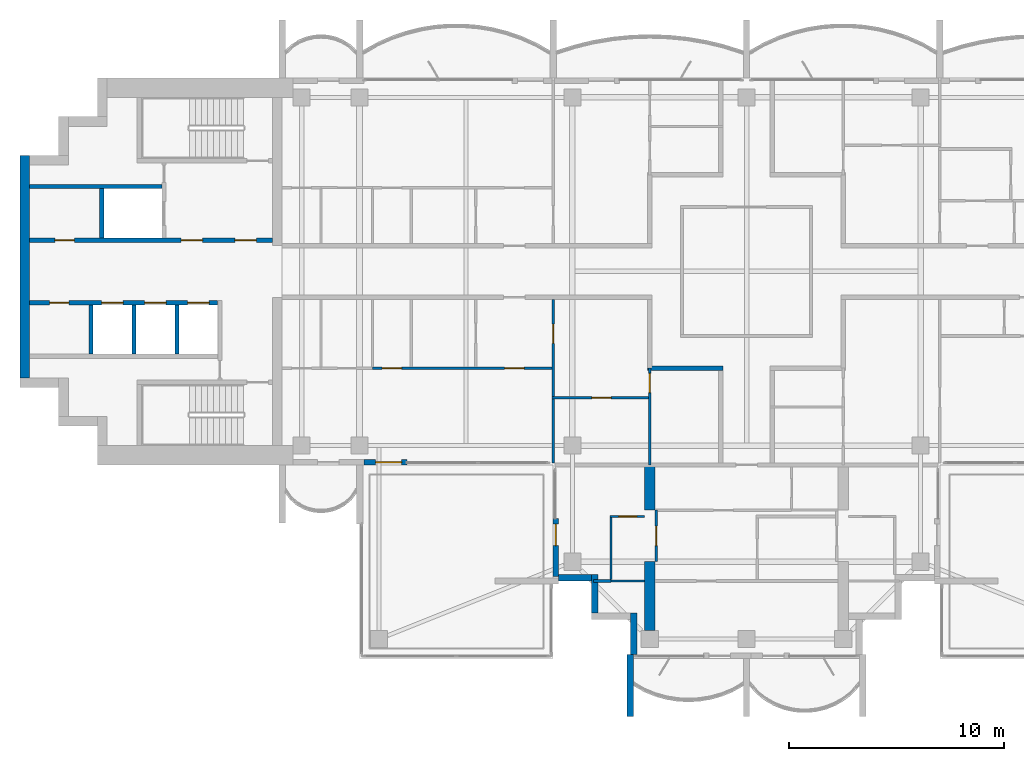
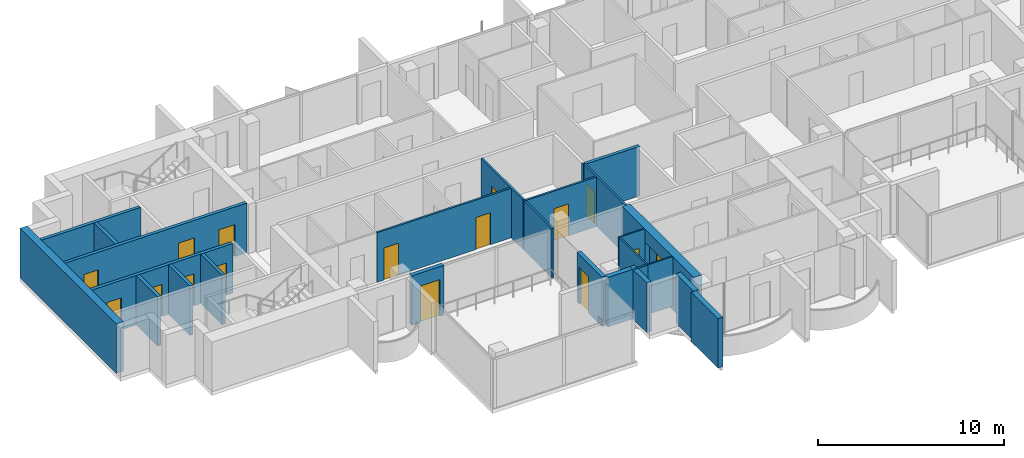
# One storey, part 7 of 16: 25 walls, 16 doors, 16 openings.
"""IFC4 building model written with IfcOpenShell, lengths in metres."""

from ifc_helpers import new_model, si_unit, direction, frame, frame_2d, origin, place, context, subcontext, project, spatial, polyline, rectangle, outline, extrude, material, layer, layer_set, material_profile, profile_set, type_object, element, fill, save


model = new_model("IFC4")

# Units and contexts
model_context = context("Model", 3, precision=1e-05, world=origin(), true_north=direction((0.0, 1.0)))
body_context = subcontext(model_context, "Body", "Model", "MODEL_VIEW")
ifc_project = project(units=[si_unit("LENGTHUNIT", "METRE"), si_unit("AREAUNIT", "SQUARE_METRE"), si_unit("VOLUMEUNIT", "CUBIC_METRE"), si_unit("PLANEANGLEUNIT", "RADIAN"), si_unit("MASSUNIT", "GRAM", prefix="KILO")], contexts=[model_context])

# Site, building, storey
site_placement = place(None, origin())
site = spatial("IfcSite", under=ifc_project, at=site_placement, CompositionType="ELEMENT")
building_placement = place(site_placement, origin())
building = spatial("IfcBuilding", under=site, at=building_placement, Name="Perihelion Cross Residences", CompositionType="ELEMENT")
storey_placement = place(building_placement, frame((0.0, 0.0, 274.5)))
storey = spatial("IfcBuildingStorey", under=building, at=storey_placement, Name="L70", CompositionType="ELEMENT", Elevation=274.5)

# Wall
ifc_material_1 = material(Name="Plasterboard partition")
ifc_layer_1 = layer(ifc_material_1, 0.199951171875)
ifc_layer_set_1 = layer_set([ifc_layer_1], Name="Apartment separation wall 200")
wall_type_1 = type_object("IfcWallType", Name="Apartment separation wall 200", PredefinedType="PARTITIONING", material=ifc_layer_set_1)
wall_1_placement = place(storey_placement, frame((-1.10009765625, -4.5, 0.0), z_axis=(0.0, 0.0, 1.0), x_axis=(-1.0, 0.0, 0.0)))
element("IfcWall", 1, at=wall_1_placement, inside=storey, type_object=wall_type_1, Name="Partition L70 W020", PredefinedType="PARTITIONING", context=body_context, shape_type="SweptSolid", body=[
    extrude(rectangle(XDim=3.5, YDim=0.199951171875, at=frame_2d((1.75, 0.0))), origin(), (0.0, 0.0, 1.0), 3.25),
])

# Wall, opening, door
ifc_material_2 = material(Name="Concrete C30/37, bronze-clad", Category="concrete")
ifc_layer_2 = layer(ifc_material_2, 0.25)
ifc_layer_set_2 = layer_set([ifc_layer_2], Name="Bronze-clad pier wall 250")
wall_type_2 = type_object("IfcWallType", Name="Bronze-clad pier wall 250", PredefinedType="SOLIDWALL", material=ifc_layer_set_2)
wall_2_placement = place(storey_placement, frame((-17.800048828125, -8.875, 0.0), z_axis=(0.0, 0.0, 1.0), x_axis=(1.0, 0.0, 0.0)))
wall_2 = element("IfcWall", 2, at=wall_2_placement, inside=storey, type_object=wall_type_2, Name="Wall FW1 L70 west side south bay 2 pier", PredefinedType="SOLIDWALL", context=body_context, shape_type="SweptSolid", body=[
    extrude(rectangle(XDim=2.0, YDim=0.25, at=frame_2d((1.0, 0.0))), origin(), (0.0, 0.0, 1.0), 3.25),
])
opening_1_placement = place(wall_2_placement, frame((0.550048828125, 0.0, 0.0)))
opening_1 = element("IfcOpeningElement", 3, at=opening_1_placement, cuts=wall_2, Name="Opening L70.E08", PredefinedType="OPENING", context=body_context, shape_type="SweptSolid", body=[
    extrude(rectangle(XDim=1.199951171875, YDim=2.39990234375, at=frame_2d((0.60009765625, 1.199951171875))), frame((0.0, 0.135009765625, 0.0), z_axis=(0.0, -1.0, 0.0), x_axis=(1.0, 0.0, 0.0)), (0.0, 0.0, 1.0), 0.27001953125),
])
ifc_material_3 = material(Name="Bronze anodised aluminium, glazed", Category="aluminium")
door_type_1 = type_object("IfcDoorType", Name="Balcony door 1200 x 2400", OperationType="NOTDEFINED", PredefinedType="DOOR", material=ifc_material_3)
door_1_placement = place(opening_1_placement, origin())
door_1 = element("IfcDoor", 4, at=door_1_placement, inside=storey, type_object=door_type_1, Name="Door L70.E08 west side south bay 2", OperationType="SINGLE_SWING_RIGHT", OverallHeight=2.39990234375, OverallWidth=1.199951171875, PredefinedType="DOOR", context=body_context, shape_type="SweptSolid", body=[
    extrude(rectangle(XDim=1.199951171875, YDim=2.39990234375, at=frame_2d((0.60009765625, 1.199951171875))), frame((0.0, 0.02490234375, 0.0), z_axis=(0.0, -1.0, 0.0), x_axis=(1.0, 0.0, 0.0)), (0.0, 0.0, 1.0), 0.050048828125),
])
fill(opening_1, door_1)

wall_3_placement = place(storey_placement, frame((-8.875, -11.5, 0.0), z_axis=(0.0, 0.0, 1.0), x_axis=(0.0, -1.0, 0.0)))
wall_3 = element("IfcWall", 5, at=wall_3_placement, inside=storey, type_object=wall_type_2, Name="Wall FW1 L70 south side west bay 1 pier", PredefinedType="SOLIDWALL", context=body_context, shape_type="SweptSolid", body=[
    extrude(rectangle(XDim=2.699951171875, YDim=0.25, at=frame_2d((1.35009765625, 0.0))), origin(), (0.0, 0.0, 1.0), 3.25),
])
opening_2_placement = place(wall_3_placement, frame((0.25, 0.0, 0.0)))
opening_2 = element("IfcOpeningElement", 6, at=opening_2_placement, cuts=wall_3, Name="Opening L70.E09", PredefinedType="OPENING", context=body_context, shape_type="SweptSolid", body=[
    extrude(rectangle(XDim=1.0, YDim=2.39990234375, at=frame_2d((0.5, 1.199951171875))), frame((0.0, 0.135009765625, 0.0), z_axis=(0.0, -1.0, 0.0), x_axis=(1.0, 0.0, 0.0)), (0.0, 0.0, 1.0), 0.27001953125),
])
ifc_material_4 = material(Name="Bronze anodised aluminium, glazed", Category="aluminium")
door_type_2 = type_object("IfcDoorType", Name="Balcony door 1000 x 2400", OperationType="NOTDEFINED", PredefinedType="DOOR", material=ifc_material_4)
door_2_placement = place(opening_2_placement, origin())
door_2 = element("IfcDoor", 7, at=door_2_placement, inside=storey, type_object=door_type_2, Name="Door L70.E09 south side west bay 1", OperationType="SINGLE_SWING_LEFT", OverallHeight=2.39990234375, OverallWidth=1.0, PredefinedType="DOOR", context=body_context, shape_type="SweptSolid", body=[
    extrude(rectangle(XDim=1.0, YDim=2.39990234375, at=frame_2d((0.5, 1.199951171875))), frame((0.0, 0.02490234375, 0.0), z_axis=(0.0, -1.0, 0.0), x_axis=(1.0, 0.0, 0.0)), (0.0, 0.0, 1.0), 0.050048828125),
])
fill(opening_2, door_2)

# Walls
ifc_material_5 = material(Name="Concrete C30/37, bronze-clad", Category="concrete")
ifc_layer_3 = layer(ifc_material_5, 0.300048828125)
ifc_layer_set_3 = layer_set([ifc_layer_3], Name="Bronze-clad serration wall 300")
wall_type_3 = type_object("IfcWallType", Name="Bronze-clad serration wall 300", PredefinedType="SOLIDWALL", material=ifc_layer_set_3)
wall_4_placement = place(storey_placement, frame((-8.75, -14.25, 0.0), z_axis=(0.0, 0.0, 1.0), x_axis=(1.0, 0.0, 0.0)))
element("IfcWall", 8, at=wall_4_placement, inside=storey, type_object=wall_type_3, Name="Wall SR1 L70 south corner south-west 1", PredefinedType="SOLIDWALL", context=body_context, shape_type="SweptSolid", body=[
    extrude(rectangle(XDim=1.550048828125, YDim=0.300048828125, at=frame_2d((0.77490234375, 0.0))), origin(), (0.0, 0.0, 1.0), 3.25),
])
wall_5_placement = place(storey_placement, frame((-7.050048828125, -14.10009765625, 0.0), z_axis=(0.0, 0.0, 1.0), x_axis=(0.0, -1.0, 0.0)))
element("IfcWall", 9, at=wall_5_placement, inside=storey, type_object=wall_type_3, Name="Wall SR1 L70 south corner south-west 2", PredefinedType="SOLIDWALL", context=body_context, shape_type="SweptSolid", body=[
    extrude(rectangle(XDim=1.7998046875, YDim=0.300048828125, at=frame_2d((0.89990234375, 0.0))), origin(), (0.0, 0.0, 1.0), 3.25),
])
wall_6_placement = place(storey_placement, frame((-5.25, -15.89990234375, 0.0), z_axis=(0.0, 0.0, 1.0), x_axis=(0.0, -1.0, 0.0)))
element("IfcWall", 10, at=wall_6_placement, inside=storey, type_object=wall_type_3, Name="Wall SR1 L70 south corner south-west 4", PredefinedType="SOLIDWALL", context=body_context, shape_type="SweptSolid", body=[
    extrude(rectangle(XDim=1.920166015625, YDim=0.300048828125, at=frame_2d((0.9599609375, 0.0))), origin(), (0.0, 0.0, 1.0), 3.25),
])
ifc_material_6 = material(Name="Concrete C60/75", Category="concrete")
ifc_layer_4 = layer(ifc_material_6, 0.449951171875)
ifc_layer_set_4 = layer_set([ifc_layer_4], Name="Core wall, outer 450")
wall_type_4 = type_object("IfcWallType", Name="Core wall, outer 450", PredefinedType="SHEAR", material=ifc_layer_set_4)
wall_7_placement = place(storey_placement, frame((-33.574951171875, -4.949951171875, 0.0), z_axis=(0.0, 0.0, 1.0), x_axis=(0.0, 1.0, 0.0)))
element("IfcWall", 11, at=wall_7_placement, inside=storey, type_object=wall_type_4, Name="West core core wall, outer", PredefinedType="SHEAR", context=body_context, shape_type="SweptSolid", body=[
    extrude(rectangle(XDim=10.349853515625, YDim=0.449951171875, at=frame_2d((5.1748046875, 0.0))), origin(), (0.0, 0.0, 1.0), 3.25),
])

# Wall, opening, door
ifc_material_7 = material(Name="Plasterboard partition")
ifc_layer_5 = layer(ifc_material_7, 0.1201171875)
ifc_layer_set_5 = layer_set([ifc_layer_5], Name="Infill panel 120")
wall_type_5 = type_object("IfcWallType", Name="Infill panel 120", PredefinedType="PARTITIONING", material=ifc_layer_set_5)
wall_8_placement = place(storey_placement, frame((-4.18994140625, -11.10009765625, 0.0), z_axis=(0.0, 0.0, 1.0), x_axis=(0.0, -1.0, 0.0)))
wall_8 = element("IfcWall", 12, at=wall_8_placement, inside=storey, type_object=wall_type_5, Name="Partition L70 WI02", PredefinedType="PARTITIONING", context=body_context, shape_type="SweptSolid", body=[
    extrude(rectangle(XDim=2.39990234375, YDim=0.1201171875, at=frame_2d((1.199951171875, 0.0))), origin(), (0.0, 0.0, 1.0), 2.39990234375),
])
opening_3_placement = place(wall_8_placement, frame((0.75, 0.0, 0.0)))
opening_3 = element("IfcOpeningElement", 13, at=opening_3_placement, cuts=wall_8, Name="Opening L70.A47", PredefinedType="OPENING", context=body_context, shape_type="SweptSolid", body=[
    extrude(rectangle(XDim=0.89990234375, YDim=2.10009765625, at=frame_2d((0.449951171875, 1.050048828125))), frame((0.0, 0.070068359375, 0.0), z_axis=(0.0, -1.0, 0.0), x_axis=(1.0, 0.0, 0.0)), (0.0, 0.0, 1.0), 0.14013671875),
])
ifc_material_8 = material(Name="Timber door leaf", Category="wood")
door_type_3 = type_object("IfcDoorType", Name="Interior room door 900 x 2100", OperationType="SINGLE_SWING_LEFT", PredefinedType="DOOR", material=ifc_material_8)
door_3_placement = place(opening_3_placement, origin())
door_3 = element("IfcDoor", 14, at=door_3_placement, inside=storey, type_object=door_type_3, Name="Door L70.A47", OperationType="SINGLE_SWING_LEFT", OverallHeight=2.10009765625, OverallWidth=0.89990234375, PredefinedType="DOOR", context=body_context, shape_type="SweptSolid", body=[
    extrude(rectangle(XDim=0.89990234375, YDim=2.10009765625, at=frame_2d((0.449951171875, 1.050048828125))), frame((0.0, 0.02490234375, 0.0), z_axis=(0.0, -1.0, 0.0), x_axis=(1.0, 0.0, 0.0)), (0.0, 0.0, 1.0), 0.050048828125),
])
fill(opening_3, door_3)

# Wall, openings, doors
ifc_material_9 = material(Name="Plasterboard partition")
ifc_layer_6 = layer(ifc_material_9, 0.1201171875)
ifc_layer_set_6 = layer_set([ifc_layer_6], Name="Partition wall 120")
wall_type_6 = type_object("IfcWallType", Name="Partition wall 120", PredefinedType="PARTITIONING", material=ifc_layer_set_6)
wall_9_placement = place(storey_placement, frame((-8.93994140625, -4.5, 0.0), z_axis=(0.0, 0.0, 1.0), x_axis=(-1.0, 0.0, 0.0)))
wall_9 = element("IfcWall", 15, at=wall_9_placement, inside=storey, type_object=wall_type_6, Name="Partition L70 W058", PredefinedType="PARTITIONING", context=body_context, shape_type="SweptSolid", body=[
    extrude(rectangle(XDim=8.4599609375, YDim=0.1201171875, at=frame_2d((4.22998046875, 0.0))), origin(), (0.0, 0.0, 1.0), 3.25),
])
opening_4_placement = place(wall_9_placement, frame((7.110107421875, 0.0, 0.0)))
opening_4 = element("IfcOpeningElement", 16, at=opening_4_placement, cuts=wall_9, Name="Opening L70.A32", PredefinedType="OPENING", context=body_context, shape_type="SweptSolid", body=[
    extrude(rectangle(XDim=0.89990234375, YDim=2.10009765625, at=frame_2d((0.449951171875, 1.050048828125))), frame((0.0, 0.070068359375, 0.0), z_axis=(0.0, -1.0, 0.0), x_axis=(1.0, 0.0, 0.0)), (0.0, 0.0, 1.0), 0.14013671875),
])
opening_5_placement = place(wall_9_placement, frame((1.409912109375, 0.0, 0.0)))
opening_5 = element("IfcOpeningElement", 17, at=opening_5_placement, cuts=wall_9, Name="Opening L70.A34", PredefinedType="OPENING", context=body_context, shape_type="SweptSolid", body=[
    extrude(rectangle(XDim=0.89990234375, YDim=2.10009765625, at=frame_2d((0.449951171875, 1.050048828125))), frame((0.0, 0.070068359375, 0.0), z_axis=(0.0, -1.0, 0.0), x_axis=(1.0, 0.0, 0.0)), (0.0, 0.0, 1.0), 0.14013671875),
])
door_4_placement = place(opening_4_placement, origin())
door_4 = element("IfcDoor", 18, at=door_4_placement, inside=storey, type_object=door_type_3, Name="Door L70.A32", OperationType="SINGLE_SWING_RIGHT", OverallHeight=2.10009765625, OverallWidth=0.89990234375, PredefinedType="DOOR", context=body_context, shape_type="SweptSolid", body=[
    extrude(rectangle(XDim=0.89990234375, YDim=2.10009765625, at=frame_2d((0.449951171875, 1.050048828125))), frame((0.0, 0.02490234375, 0.0), z_axis=(0.0, -1.0, 0.0), x_axis=(1.0, 0.0, 0.0)), (0.0, 0.0, 1.0), 0.050048828125),
])
fill(opening_4, door_4)
door_5_placement = place(opening_5_placement, origin())
door_5 = element("IfcDoor", 19, at=door_5_placement, inside=storey, type_object=door_type_3, Name="Door L70.A34", OperationType="SINGLE_SWING_RIGHT", OverallHeight=2.10009765625, OverallWidth=0.89990234375, PredefinedType="DOOR", context=body_context, shape_type="SweptSolid", body=[
    extrude(rectangle(XDim=0.89990234375, YDim=2.10009765625, at=frame_2d((0.449951171875, 1.050048828125))), frame((0.0, 0.02490234375, 0.0), z_axis=(0.0, -1.0, 0.0), x_axis=(1.0, 0.0, 0.0)), (0.0, 0.0, 1.0), 0.050048828125),
])
fill(opening_5, door_5)

# Wall, opening, door
wall_10_placement = place(storey_placement, frame((-9.0, -1.300048828125, 0.0), z_axis=(0.0, 0.0, 1.0), x_axis=(0.0, -1.0, 0.0)))
wall_10 = element("IfcWall", 20, at=wall_10_placement, inside=storey, type_object=wall_type_6, Name="Partition L70 W059", PredefinedType="PARTITIONING", context=body_context, shape_type="SweptSolid", body=[
    extrude(rectangle(XDim=7.619873046875, YDim=0.1201171875, at=frame_2d((3.81005859375, 0.0))), origin(), (0.0, 0.0, 1.0), 3.25),
])
opening_6_placement = place(wall_10_placement, frame((1.14990234375, 0.0, 0.0)))
opening_6 = element("IfcOpeningElement", 21, at=opening_6_placement, cuts=wall_10, Name="Opening L70.A30", PredefinedType="OPENING", context=body_context, shape_type="SweptSolid", body=[
    extrude(rectangle(XDim=0.89990234375, YDim=2.10009765625, at=frame_2d((0.449951171875, 1.050048828125))), frame((0.0, 0.070068359375, 0.0), z_axis=(0.0, -1.0, 0.0), x_axis=(1.0, 0.0, 0.0)), (0.0, 0.0, 1.0), 0.14013671875),
])
door_6_placement = place(opening_6_placement, origin())
door_6 = element("IfcDoor", 22, at=door_6_placement, inside=storey, type_object=door_type_3, Name="Door L70.A30", OperationType="SINGLE_SWING_RIGHT", OverallHeight=2.10009765625, OverallWidth=0.89990234375, PredefinedType="DOOR", context=body_context, shape_type="SweptSolid", body=[
    extrude(rectangle(XDim=0.89990234375, YDim=2.10009765625, at=frame_2d((0.449951171875, 1.050048828125))), frame((0.0, 0.02490234375, 0.0), z_axis=(0.0, -1.0, 0.0), x_axis=(1.0, 0.0, 0.0)), (0.0, 0.0, 1.0), 0.050048828125),
])
fill(opening_6, door_6)

wall_11_placement = place(storey_placement, frame((-4.43994140625, -5.8798828125, 0.0), z_axis=(0.0, 0.0, 1.0), x_axis=(-1.0, 0.0, 0.0)))
wall_11 = element("IfcWall", 23, at=wall_11_placement, inside=storey, type_object=wall_type_6, Name="Partition L70 W065", PredefinedType="PARTITIONING", context=body_context, shape_type="SweptSolid", body=[
    extrude(rectangle(XDim=4.6201171875, YDim=0.1201171875, at=frame_2d((2.31005859375, 0.0))), origin(), (0.0, 0.0, 1.0), 3.25),
])
opening_7_placement = place(wall_11_placement, frame((1.860107421875, 0.0, 0.0)))
opening_7 = element("IfcOpeningElement", 24, at=opening_7_placement, cuts=wall_11, Name="Opening L70.A33", PredefinedType="OPENING", context=body_context, shape_type="SweptSolid", body=[
    extrude(rectangle(XDim=0.89990234375, YDim=2.10009765625, at=frame_2d((0.449951171875, 1.050048828125))), frame((0.0, 0.070068359375, 0.0), z_axis=(0.0, -1.0, 0.0), x_axis=(1.0, 0.0, 0.0)), (0.0, 0.0, 1.0), 0.14013671875),
])
door_7_placement = place(opening_7_placement, origin())
door_7 = element("IfcDoor", 25, at=door_7_placement, inside=storey, type_object=door_type_3, Name="Door L70.A33", OperationType="SINGLE_SWING_LEFT", OverallHeight=2.10009765625, OverallWidth=0.89990234375, PredefinedType="DOOR", context=body_context, shape_type="SweptSolid", body=[
    extrude(rectangle(XDim=0.89990234375, YDim=2.10009765625, at=frame_2d((0.449951171875, 1.050048828125))), frame((0.0, 0.02490234375, 0.0), z_axis=(0.0, -1.0, 0.0), x_axis=(1.0, 0.0, 0.0)), (0.0, 0.0, 1.0), 0.050048828125),
])
fill(opening_7, door_7)

wall_12_placement = place(storey_placement, frame((-4.5, -4.5, 0.0), z_axis=(0.0, 0.0, 1.0), x_axis=(0.0, -1.0, 0.0)))
wall_12 = element("IfcWall", 26, at=wall_12_placement, inside=storey, type_object=wall_type_6, Name="Partition L70 W066", PredefinedType="PARTITIONING", context=body_context, shape_type="SweptSolid", body=[
    extrude(rectangle(XDim=4.5, YDim=0.1201171875, at=frame_2d((2.25, 0.0))), origin(), (0.0, 0.0, 1.0), 3.25),
])
opening_8_placement = place(wall_12_placement, frame((0.239990234375, 0.0, 0.0)))
opening_8 = element("IfcOpeningElement", 27, at=opening_8_placement, cuts=wall_12, Name="Opening L70.A28", PredefinedType="OPENING", context=body_context, shape_type="SweptSolid", body=[
    extrude(rectangle(XDim=0.89990234375, YDim=2.10009765625, at=frame_2d((0.449951171875, 1.050048828125))), frame((0.0, 0.070068359375, 0.0), z_axis=(0.0, -1.0, 0.0), x_axis=(1.0, 0.0, 0.0)), (0.0, 0.0, 1.0), 0.14013671875),
])
door_8_placement = place(opening_8_placement, origin())
door_8 = element("IfcDoor", 28, at=door_8_placement, inside=storey, type_object=door_type_3, Name="Door L70.A28", OperationType="SINGLE_SWING_RIGHT", OverallHeight=2.10009765625, OverallWidth=0.89990234375, PredefinedType="DOOR", context=body_context, shape_type="SweptSolid", body=[
    extrude(rectangle(XDim=0.89990234375, YDim=2.10009765625, at=frame_2d((0.449951171875, 1.050048828125))), frame((0.0, 0.02490234375, 0.0), z_axis=(0.0, -1.0, 0.0), x_axis=(1.0, 0.0, 0.0)), (0.0, 0.0, 1.0), 0.050048828125),
])
fill(opening_8, door_8)

# Walls
wall_13_placement = place(storey_placement, frame((-6.300048828125, -14.39990234375, 0.0), z_axis=(0.0, 0.0, 1.0), x_axis=(-1.0, 0.0, 0.0)))
element("IfcWall", 29, at=wall_13_placement, inside=storey, type_object=wall_type_6, Name="Partition L70 W078", PredefinedType="PARTITIONING", context=body_context, shape_type="SweptSolid", body=[
    extrude(rectangle(XDim=0.820068359375, YDim=0.1201171875, at=frame_2d((0.41015625, 0.0))), origin(), (0.0, 0.0, 1.0), 3.25),
])
ifc_material_10 = material(Name="Precast concrete C50/60", Category="concrete")
ifc_layer_7 = layer(ifc_material_10, 0.300048828125)
ifc_layer_set_7 = layer_set([ifc_layer_7], Name="Precast concrete C50/60 blade wall 300")
wall_type_7 = type_object("IfcWallType", Name="Precast concrete C50/60 blade wall 300", PredefinedType="SOLIDWALL", material=ifc_layer_set_7)
wall_14_placement = place(storey_placement, frame((-5.39990234375, -17.820068359375, 0.0), z_axis=(0.0, 0.0, 1.0), x_axis=(0.0, -1.0, 0.0)))
element("IfcWall", 30, at=wall_14_placement, inside=storey, type_object=wall_type_7, Name="Wall BL1 L70 no. 5", PredefinedType="SOLIDWALL", context=body_context, shape_type="SweptSolid", body=[
    extrude(rectangle(XDim=2.8798828125, YDim=0.300048828125, at=frame_2d((1.43994140625, 0.0))), origin(), (0.0, 0.0, 1.0), 3.25),
])

# Wall, openings, doors
ifc_material_11 = material(Name="Concrete C50/60", Category="concrete")
ifc_layer_8 = layer(ifc_material_11, 0.199951171875)
ifc_layer_set_8 = layer_set([ifc_layer_8], Name="Shaft wall 200")
wall_type_8 = type_object("IfcWallType", Name="Shaft wall 200", PredefinedType="SOLIDWALL", material=ifc_layer_set_8)
wall_15_placement = place(storey_placement, frame((-33.35009765625, 1.449951171875, 0.0), z_axis=(0.0, 0.0, 1.0), x_axis=(1.0, 0.0, 0.0)))
wall_15 = element("IfcWall", 31, at=wall_15_placement, inside=storey, type_object=wall_type_8, Name="West core shaft wall", PredefinedType="SOLIDWALL", context=body_context, shape_type="SweptSolid", body=[
    extrude(rectangle(XDim=11.300048828125, YDim=0.199951171875, at=frame_2d((5.64990234375, 0.0))), origin(), (0.0, 0.0, 1.0), 3.25),
])
opening_9_placement = place(wall_15_placement, frame((9.550048828125, 0.0, 0.0)))
opening_9 = element("IfcOpeningElement", 32, at=opening_9_placement, cuts=wall_15, Name="Opening L70.C19", PredefinedType="OPENING", context=body_context, shape_type="SweptSolid", body=[
    extrude(rectangle(XDim=1.0, YDim=2.10009765625, at=frame_2d((0.5, 1.050048828125))), frame((0.0, 0.10986328125, 0.0), z_axis=(0.0, -1.0, 0.0), x_axis=(1.0, 0.0, 0.0)), (0.0, 0.0, 1.0), 0.219970703125),
])
opening_10_placement = place(wall_15_placement, frame((7.050048828125, 0.0, 0.0)))
opening_10 = element("IfcOpeningElement", 33, at=opening_10_placement, cuts=wall_15, Name="Opening L70.C21", PredefinedType="OPENING", context=body_context, shape_type="SweptSolid", body=[
    extrude(rectangle(XDim=1.0, YDim=2.10009765625, at=frame_2d((0.5, 1.050048828125))), frame((0.0, 0.10986328125, 0.0), z_axis=(0.0, -1.0, 0.0), x_axis=(1.0, 0.0, 0.0)), (0.0, 0.0, 1.0), 0.219970703125),
])
opening_11_placement = place(wall_15_placement, frame((1.175048828125, 0.0, 0.0)))
opening_11 = element("IfcOpeningElement", 34, at=opening_11_placement, cuts=wall_15, Name="Opening L70.C23", PredefinedType="OPENING", context=body_context, shape_type="SweptSolid", body=[
    extrude(rectangle(XDim=0.89990234375, YDim=2.10009765625, at=frame_2d((0.449951171875, 1.050048828125))), frame((0.0, 0.10986328125, 0.0), z_axis=(0.0, -1.0, 0.0), x_axis=(1.0, 0.0, 0.0)), (0.0, 0.0, 1.0), 0.219970703125),
])
ifc_material_12 = material(Name="Steel, powder coated", Category="steel")
door_type_4 = type_object("IfcDoorType", Name="Lobby door 1000", OperationType="SINGLE_SWING_LEFT", PredefinedType="DOOR", material=ifc_material_12)
door_9_placement = place(opening_9_placement, origin())
door_9 = element("IfcDoor", 35, at=door_9_placement, inside=storey, type_object=door_type_4, Name="West core firefighting lobby door", OperationType="SINGLE_SWING_LEFT", OverallHeight=2.10009765625, OverallWidth=1.0, PredefinedType="DOOR", context=body_context, shape_type="SweptSolid", body=[
    extrude(rectangle(XDim=1.0, YDim=2.10009765625, at=frame_2d((0.5, 1.050048828125))), frame((0.0, 0.02490234375, 0.0), z_axis=(0.0, -1.0, 0.0), x_axis=(1.0, 0.0, 0.0)), (0.0, 0.0, 1.0), 0.050048828125),
])
fill(opening_9, door_9)
door_10_placement = place(opening_10_placement, origin())
door_10 = element("IfcDoor", 36, at=door_10_placement, inside=storey, type_object=door_type_4, Name="West core firefighting lobby door", OperationType="SINGLE_SWING_LEFT", OverallHeight=2.10009765625, OverallWidth=1.0, PredefinedType="DOOR", context=body_context, shape_type="SweptSolid", body=[
    extrude(rectangle(XDim=1.0, YDim=2.10009765625, at=frame_2d((0.5, 1.050048828125))), frame((0.0, 0.02490234375, 0.0), z_axis=(0.0, -1.0, 0.0), x_axis=(1.0, 0.0, 0.0)), (0.0, 0.0, 1.0), 0.050048828125),
])
fill(opening_10, door_10)
ifc_material_13 = material(Name="Steel, powder coated", Category="steel")
door_type_5 = type_object("IfcDoorType", Name="Service room door 900", OperationType="SINGLE_SWING_LEFT", PredefinedType="DOOR", material=ifc_material_13)
door_11_placement = place(opening_11_placement, origin())
door_11 = element("IfcDoor", 37, at=door_11_placement, inside=storey, type_object=door_type_5, Name="West core service room door", OperationType="SINGLE_SWING_LEFT", OverallHeight=2.10009765625, OverallWidth=0.89990234375, PredefinedType="DOOR", context=body_context, shape_type="SweptSolid", body=[
    extrude(rectangle(XDim=0.89990234375, YDim=2.10009765625, at=frame_2d((0.449951171875, 1.050048828125))), frame((0.0, 0.02490234375, 0.0), z_axis=(0.0, -1.0, 0.0), x_axis=(1.0, 0.0, 0.0)), (0.0, 0.0, 1.0), 0.050048828125),
])
fill(opening_11, door_11)

wall_16_placement = place(storey_placement, frame((-33.35009765625, -1.449951171875, 0.0), z_axis=(0.0, 0.0, 1.0), x_axis=(1.0, 0.0, 0.0)))
wall_16 = element("IfcWall", 38, at=wall_16_placement, inside=storey, type_object=wall_type_8, Name="West core shaft wall", PredefinedType="SOLIDWALL", context=body_context, shape_type="SweptSolid", body=[
    extrude(rectangle(XDim=8.75, YDim=0.199951171875, at=frame_2d((4.375, 0.0))), origin(), (0.0, 0.0, 1.0), 3.25),
])
opening_12_placement = place(wall_16_placement, frame((7.35009765625, 0.0, 0.0)))
opening_12 = element("IfcOpeningElement", 39, at=opening_12_placement, cuts=wall_16, Name="Opening L70.C13", PredefinedType="OPENING", context=body_context, shape_type="SweptSolid", body=[
    extrude(rectangle(XDim=1.0, YDim=2.10009765625, at=frame_2d((0.5, 1.050048828125))), frame((0.0, 0.10986328125, 0.0), z_axis=(0.0, -1.0, 0.0), x_axis=(1.0, 0.0, 0.0)), (0.0, 0.0, 1.0), 0.219970703125),
])
opening_13_placement = place(wall_16_placement, frame((5.35009765625, 0.0, 0.0)))
opening_13 = element("IfcOpeningElement", 40, at=opening_13_placement, cuts=wall_16, Name="Opening L70.C15", PredefinedType="OPENING", context=body_context, shape_type="SweptSolid", body=[
    extrude(rectangle(XDim=1.0, YDim=2.10009765625, at=frame_2d((0.5, 1.050048828125))), frame((0.0, 0.10986328125, 0.0), z_axis=(0.0, -1.0, 0.0), x_axis=(1.0, 0.0, 0.0)), (0.0, 0.0, 1.0), 0.219970703125),
])
opening_14_placement = place(wall_16_placement, frame((3.35009765625, 0.0, 0.0)))
opening_14 = element("IfcOpeningElement", 41, at=opening_14_placement, cuts=wall_16, Name="Opening L70.C16", PredefinedType="OPENING", context=body_context, shape_type="SweptSolid", body=[
    extrude(rectangle(XDim=1.0, YDim=2.10009765625, at=frame_2d((0.5, 1.050048828125))), frame((0.0, 0.10986328125, 0.0), z_axis=(0.0, -1.0, 0.0), x_axis=(1.0, 0.0, 0.0)), (0.0, 0.0, 1.0), 0.219970703125),
])
opening_15_placement = place(wall_16_placement, frame((0.925048828125, 0.0, 0.0)))
opening_15 = element("IfcOpeningElement", 42, at=opening_15_placement, cuts=wall_16, Name="Opening L70.C24", PredefinedType="OPENING", context=body_context, shape_type="SweptSolid", body=[
    extrude(rectangle(XDim=0.89990234375, YDim=2.10009765625, at=frame_2d((0.449951171875, 1.050048828125))), frame((0.0, 0.10986328125, 0.0), z_axis=(0.0, -1.0, 0.0), x_axis=(1.0, 0.0, 0.0)), (0.0, 0.0, 1.0), 0.219970703125),
])
ifc_material_14 = material(Name="Stainless steel", Category="steel")
door_type_6 = type_object("IfcDoorType", Name="Landing door 1000", OperationType="DOUBLE_DOOR_SLIDING", PredefinedType="DOOR", material=ifc_material_14)
door_12_placement = place(opening_12_placement, origin())
door_12 = element("IfcDoor", 43, at=door_12_placement, inside=storey, type_object=door_type_6, Name="Landing door, West core high-rise lift 1", OperationType="DOUBLE_DOOR_SLIDING", OverallHeight=2.10009765625, OverallWidth=1.0, PredefinedType="DOOR", context=body_context, shape_type="SweptSolid", body=[
    extrude(rectangle(XDim=1.0, YDim=2.10009765625, at=frame_2d((0.5, 1.050048828125))), frame((0.0, 0.02490234375, 0.0), z_axis=(0.0, -1.0, 0.0), x_axis=(1.0, 0.0, 0.0)), (0.0, 0.0, 1.0), 0.050048828125),
])
fill(opening_12, door_12)
door_13_placement = place(opening_13_placement, origin())
door_13 = element("IfcDoor", 44, at=door_13_placement, inside=storey, type_object=door_type_6, Name="Landing door, West core high-rise lift 2", OperationType="DOUBLE_DOOR_SLIDING", OverallHeight=2.10009765625, OverallWidth=1.0, PredefinedType="DOOR", context=body_context, shape_type="SweptSolid", body=[
    extrude(rectangle(XDim=1.0, YDim=2.10009765625, at=frame_2d((0.5, 1.050048828125))), frame((0.0, 0.02490234375, 0.0), z_axis=(0.0, -1.0, 0.0), x_axis=(1.0, 0.0, 0.0)), (0.0, 0.0, 1.0), 0.050048828125),
])
fill(opening_13, door_13)
door_14_placement = place(opening_14_placement, origin())
door_14 = element("IfcDoor", 45, at=door_14_placement, inside=storey, type_object=door_type_6, Name="Landing door, West core high-rise lift 3", OperationType="DOUBLE_DOOR_SLIDING", OverallHeight=2.10009765625, OverallWidth=1.0, PredefinedType="DOOR", context=body_context, shape_type="SweptSolid", body=[
    extrude(rectangle(XDim=1.0, YDim=2.10009765625, at=frame_2d((0.5, 1.050048828125))), frame((0.0, 0.02490234375, 0.0), z_axis=(0.0, -1.0, 0.0), x_axis=(1.0, 0.0, 0.0)), (0.0, 0.0, 1.0), 0.050048828125),
])
fill(opening_14, door_14)
door_15_placement = place(opening_15_placement, origin())
door_15 = element("IfcDoor", 46, at=door_15_placement, inside=storey, type_object=door_type_5, Name="West core service room door", OperationType="SINGLE_SWING_LEFT", OverallHeight=2.10009765625, OverallWidth=0.89990234375, PredefinedType="DOOR", context=body_context, shape_type="SweptSolid", body=[
    extrude(rectangle(XDim=0.89990234375, YDim=2.10009765625, at=frame_2d((0.449951171875, 1.050048828125))), frame((0.0, 0.02490234375, 0.0), z_axis=(0.0, -1.0, 0.0), x_axis=(1.0, 0.0, 0.0)), (0.0, 0.0, 1.0), 0.050048828125),
])
fill(opening_15, door_15)

# Walls
wall_17_placement = place(storey_placement, frame((-33.35009765625, 3.949951171875, 0.0), z_axis=(0.0, 0.0, 1.0), x_axis=(1.0, 0.0, 0.0)))
element("IfcWall", 47, at=wall_17_placement, inside=storey, type_object=wall_type_8, Name="West core shaft wall", PredefinedType="SOLIDWALL", context=body_context, shape_type="SweptSolid", body=[
    extrude(rectangle(XDim=6.150146484375, YDim=0.199951171875, at=frame_2d((3.0751953125, 0.0))), origin(), (0.0, 0.0, 1.0), 3.25),
])
for number, where, z_axis, x_axis, name in (
    (48, (-30.0, 1.550048828125, 0.0), (0.0, 0.0, 1.0), (0.0, 1.0, 0.0), "West core shaft wall"),
    (49, (-26.5, -3.85009765625, 0.0), (0.0, 0.0, 1.0), (0.0, 1.0, 0.0), "West core shaft wall"),
    (50, (-28.5, -3.85009765625, 0.0), (0.0, 0.0, 1.0), (0.0, 1.0, 0.0), "West core shaft wall"),
    (51, (-30.5, -3.85009765625, 0.0), (0.0, 0.0, 1.0), (0.0, 1.0, 0.0), "West core shaft wall"),
):
    element("IfcWall", number, at=place(storey_placement, frame(where, z_axis=z_axis, x_axis=x_axis)), inside=storey, type_object=wall_type_8, Name=name, PredefinedType="SOLIDWALL", context=body_context, shape_type="SweptSolid", body=[
        extrude(rectangle(XDim=2.300048828125, YDim=0.199951171875, at=frame_2d((1.14990234375, 0.0))), origin(), (0.0, 0.0, 1.0), 3.25),
    ])
ifc_material_15 = material(Name="Concrete C50/60", Category="concrete")
ifc_material_profile = material_profile(ifc_material_15, outline(polyline([(0.0, 0.0), (3.199951171875, 0.0), (3.199951171875, 2.64990234375), (5.60009765625, 2.64990234375), (5.60009765625, 0.0), (7.699951171875, 0.0), (7.699951171875, 3.5), (0.0, 3.5), (0.0, 0.0)])), Name="Tip spine wall")
ifc_profile_set = profile_set([ifc_material_profile], Name="Concrete C50/60")
wall_type_9 = type_object("IfcWallType", Name="Tip spine wall 500 with 1 door openings 7700 long 3500 high concrete C50/60", PredefinedType="SHEAR", material=ifc_profile_set)
wall_18_placement = place(storey_placement, frame((-4.75, -16.699951171875, -0.25), z_axis=(1.0, 0.0, 0.0), x_axis=(0.0, 1.0, 0.0)))
element("IfcWall", 52, at=wall_18_placement, inside=storey, type_object=wall_type_9, Name="Shear wall SW45 L70 south west", PredefinedType="SHEAR", context=body_context, shape_type="SweptSolid", body=[
    extrude(outline(polyline([(0.0, 0.0), (3.199951171875, 0.0), (3.199951171875, 2.64990234375), (5.60009765625, 2.64990234375), (5.60009765625, 0.0), (7.699951171875, 0.0), (7.699951171875, 3.5), (0.0, 3.5), (0.0, 0.0)])), origin(), (0.0, 0.0, 1.0), 0.5),
])

# Wall, opening, door
ifc_material_16 = material(Name="Plasterboard partition")
ifc_layer_9 = layer(ifc_material_16, 0.10009765625)
ifc_layer_set_9 = layer_set([ifc_layer_9], Name="Wet room wall 100")
wall_type_10 = type_object("IfcWallType", Name="Wet room wall 100", PredefinedType="PARTITIONING", material=ifc_layer_set_9)
wall_19_placement = place(storey_placement, frame((-4.75, -11.39990234375, 0.0), z_axis=(0.0, 0.0, 1.0), x_axis=(-1.0, 0.0, 0.0)))
wall_19 = element("IfcWall", 53, at=wall_19_placement, inside=storey, type_object=wall_type_10, Name="Partition L70 W076", PredefinedType="PARTITIONING", context=body_context, shape_type="SweptSolid", body=[
    extrude(rectangle(XDim=1.60009765625, YDim=0.10009765625, at=frame_2d((0.800048828125, 0.0))), origin(), (0.0, 0.0, 1.0), 3.25),
])
opening_16_placement = place(wall_19_placement, frame((0.35009765625, 0.0, 0.0)))
opening_16 = element("IfcOpeningElement", 54, at=opening_16_placement, cuts=wall_19, Name="Opening L70.A41", PredefinedType="OPENING", context=body_context, shape_type="SweptSolid", body=[
    extrude(rectangle(XDim=0.85009765625, YDim=2.10009765625, at=frame_2d((0.425048828125, 1.050048828125))), frame((0.0, 0.06005859375, 0.0), z_axis=(0.0, -1.0, 0.0), x_axis=(1.0, 0.0, 0.0)), (0.0, 0.0, 1.0), 0.1201171875),
])
ifc_material_17 = material(Name="Timber door leaf", Category="wood")
door_type_7 = type_object("IfcDoorType", Name="Interior bathroom door 850 x 2100", OperationType="SINGLE_SWING_LEFT", PredefinedType="DOOR", material=ifc_material_17)
door_16_placement = place(opening_16_placement, origin())
door_16 = element("IfcDoor", 55, at=door_16_placement, inside=storey, type_object=door_type_7, Name="Door L70.A41", OperationType="SINGLE_SWING_LEFT", OverallHeight=2.10009765625, OverallWidth=0.85009765625, PredefinedType="DOOR", context=body_context, shape_type="SweptSolid", body=[
    extrude(rectangle(XDim=0.85009765625, YDim=2.10009765625, at=frame_2d((0.425048828125, 1.050048828125))), frame((0.0, 0.02490234375, 0.0), z_axis=(0.0, -1.0, 0.0), x_axis=(1.0, 0.0, 0.0)), (0.0, 0.0, 1.0), 0.050048828125),
])
fill(opening_16, door_16)

# Walls
wall_20_placement = place(storey_placement, frame((-6.300048828125, -11.449951171875, 0.0), z_axis=(0.0, 0.0, 1.0), x_axis=(0.0, -1.0, 0.0)))
element("IfcWall", 56, at=wall_20_placement, inside=storey, type_object=wall_type_10, Name="Partition L70 W077", PredefinedType="PARTITIONING", context=body_context, shape_type="SweptSolid", body=[
    extrude(rectangle(XDim=2.89013671875, YDim=0.10009765625, at=frame_2d((1.445068359375, 0.0))), origin(), (0.0, 0.0, 1.0), 3.25),
])
wall_21_placement = place(storey_placement, frame((-4.75, -14.39990234375, 0.0), z_axis=(0.0, 0.0, 1.0), x_axis=(-1.0, 0.0, 0.0)))
element("IfcWall", 57, at=wall_21_placement, inside=storey, type_object=wall_type_10, Name="Partition L70 W079", PredefinedType="PARTITIONING", context=body_context, shape_type="SweptSolid", body=[
    extrude(rectangle(XDim=1.550048828125, YDim=0.10009765625, at=frame_2d((0.77490234375, 0.0))), origin(), (0.0, 0.0, 1.0), 3.25),
])

save(model, "model.ifc")
